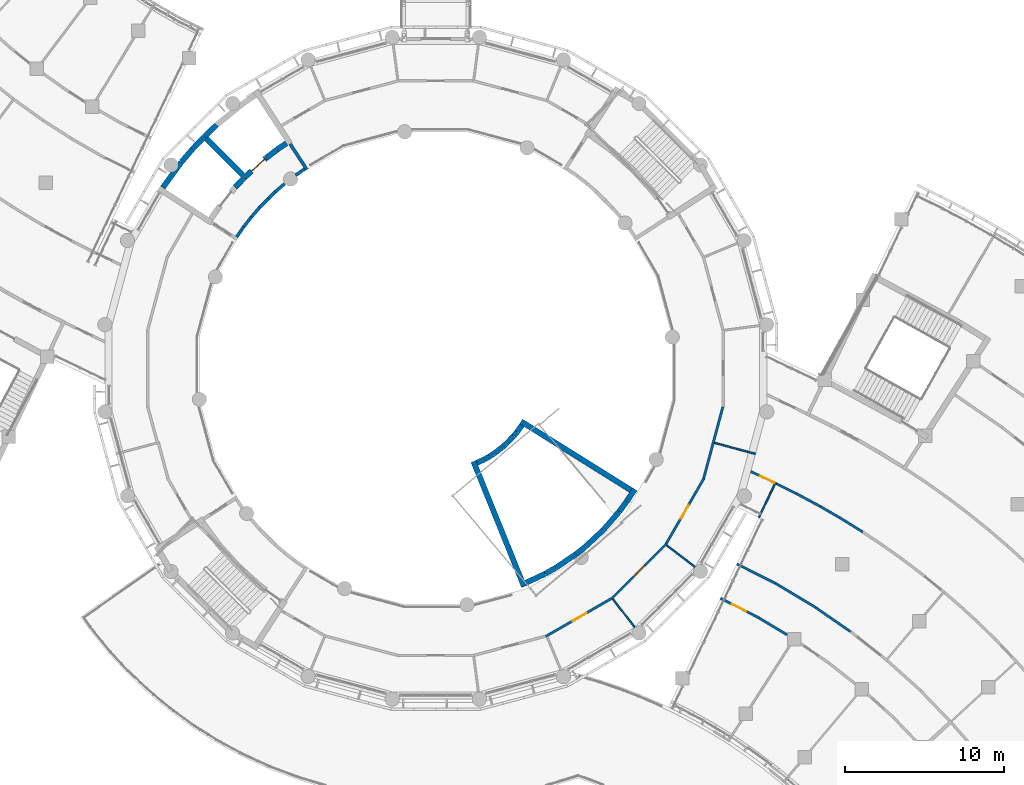
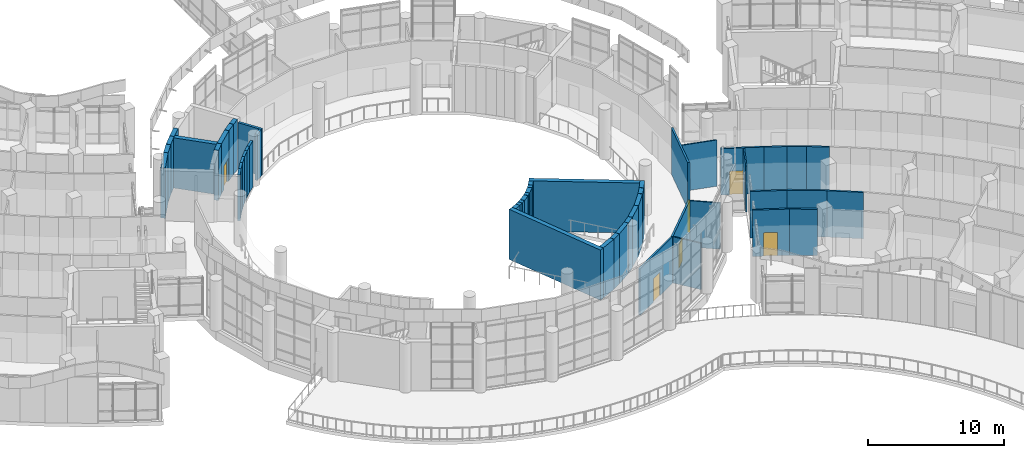
# One storey, part 63 of 136: 53 walls, 6 doors, 6 openings.
"""IFC4 building model written with IfcOpenShell, lengths in metres."""

from ifc_helpers import new_model, si_unit, direction, frame, frame_2d, origin, place, context, subcontext, project, spatial, rectangle, extrude, material, layer, layer_set, type_object, element, fill, save


model = new_model("IFC4")

# Units and contexts
model_context = context("Model", 3, precision=1e-05, world=origin(), true_north=direction((0.0, 1.0)))
body_context = subcontext(model_context, "Body", "Model", "MODEL_VIEW")
ifc_project = project(units=[si_unit("LENGTHUNIT", "METRE"), si_unit("AREAUNIT", "SQUARE_METRE"), si_unit("VOLUMEUNIT", "CUBIC_METRE"), si_unit("PLANEANGLEUNIT", "RADIAN"), si_unit("MASSUNIT", "GRAM", prefix="KILO")], contexts=[model_context])

# Site, building, storey
site_placement = place(None, origin())
site = spatial("IfcSite", under=ifc_project, at=site_placement, CompositionType="ELEMENT")
building_placement = place(site_placement, origin())
building = spatial("IfcBuilding", under=site, at=building_placement, Name="Bougainvillea Quay General Hospital", CompositionType="ELEMENT")
storey_placement = place(building_placement, frame((0.0, 0.0, 5.39990234375)))
storey = spatial("IfcBuildingStorey", under=building, at=storey_placement, Name="L01", CompositionType="ELEMENT", Elevation=5.39990234375)

# Walls
ifc_material_1 = material(Name="Gypsum board partition on steel studs", Category="steel")
ifc_layer_1 = layer(ifc_material_1, 0.10009765625)
ifc_layer_set_1 = layer_set([ifc_layer_1], Name="Gypsum board partition on steel studs")
wall_type_1 = type_object("IfcWallType", Name="Partition 100 Gypsum board partition EI 30", PredefinedType="PARTITIONING", material=ifc_layer_set_1)
for number, where, z_axis, x_axis, name in (
    (1, (123.72607421875, 62.85400390625, 0.0), (0.0, 0.0, 1.0), (0.793303213768, -0.608826749598, 0.0), "Partition 100 mm EI 30"),
    (2, (120.345947265625, 59.473876953125, 0.0), (0.0, 0.0, 1.0), (0.608947804402, -0.793210294635, 0.0), "Partition 100 mm EI 30"),
):
    element("IfcWall", number, at=place(storey_placement, frame(where, z_axis=z_axis, x_axis=x_axis)), inside=storey, type_object=wall_type_1, Name=name, PredefinedType="PARTITIONING", context=body_context, shape_type="SweptSolid", body=[
        extrude(rectangle(XDim=2.2431640625, YDim=0.10009765625, at=frame_2d((1.12158203125, 0.0))), origin(), (0.0, 0.0, 1.0), 4.150146484375),
    ])
wall_1_placement = place(storey_placement, frame((126.728515625, 69.303466796875, 0.0), z_axis=(0.0, 0.0, 1.0), x_axis=(0.965864022407, -0.259049590273, 0.0)))
element("IfcWall", 3, at=wall_1_placement, inside=storey, type_object=wall_type_1, Name="Partition 100 mm EI 30", PredefinedType="PARTITIONING", context=body_context, shape_type="SweptSolid", body=[
    extrude(rectangle(XDim=2.6728515625, YDim=0.10009765625, at=frame_2d((1.33642578125, 0.0))), origin(), (0.0, 0.0, 1.0), 4.150146484375),
])
wall_2_placement = place(storey_placement, frame((129.52001953125, 64.60205078125, 0.0), z_axis=(0.0, 0.0, 1.0), x_axis=(0.430496224864, 0.902592377753, 0.0)))
element("IfcWall", 4, at=wall_2_placement, inside=storey, type_object=wall_type_1, Name="Partition 100 mm EI 30", PredefinedType="PARTITIONING", context=body_context, shape_type="SweptSolid", body=[
    extrude(rectangle(XDim=2.323974609375, YDim=0.10009765625, at=frame_2d((1.162109375, 0.0))), origin(), (0.0, 0.0, 1.0), 4.150146484375),
])

# Wall, opening, door
ifc_material_2 = material(Name="Gypsum board partition on steel studs, insulated", Category="steel")
ifc_layer_2 = layer(ifc_material_2, 0.14990234375)
ifc_layer_set_2 = layer_set([ifc_layer_2], Name="Gypsum board partition on steel studs, insulated")
wall_type_2 = type_object("IfcWallType", Name="Partition 150 Gypsum board partition EI 30", PredefinedType="PARTITIONING", material=ifc_layer_set_2)
wall_3_placement = place(storey_placement, frame((120.242919921875, 59.486083984375, 0.0), z_axis=(0.0, 0.0, 1.0), x_axis=(0.707131648229, 0.70708191327, 0.0)))
wall_3 = element("IfcWall", 5, at=wall_3_placement, inside=storey, type_object=wall_type_2, Name="Partition 150 mm EI 30", PredefinedType="PARTITIONING", context=body_context, shape_type="SweptSolid", body=[
    extrude(rectangle(XDim=4.908935546875, YDim=0.14990234375, at=frame_2d((2.45458984375, 0.0))), origin(), (0.0, 0.0, 1.0), 4.150146484375),
])
opening_1_placement = place(wall_3_placement, frame((1.954345703125, 0.0, 0.0)))
opening_1 = element("IfcOpeningElement", 6, at=opening_1_placement, cuts=wall_3, Name="Opening L01.291", PredefinedType="OPENING", context=body_context, shape_type="SweptSolid", body=[
    extrude(rectangle(XDim=1.0, YDim=2.10009765625, at=frame_2d((0.5, 1.050048828125))), frame((0.0, 0.0849609375, 0.0), z_axis=(0.0, -1.0, 0.0), x_axis=(1.0, 0.0, 0.0)), (0.0, 0.0, 1.0), 0.169921875),
])
ifc_material_3 = material(Name="Solid-core timber door leaf in steel frame", Category="steel")
door_type_1 = type_object("IfcDoorType", Name="Single leaf door 1000x2100 FD30S", OperationType="NOTDEFINED", PredefinedType="DOOR", material=ifc_material_3)
door_1_placement = place(opening_1_placement, frame((1.0, 0.0, 0.0), z_axis=(0.0, 0.0, 1.0), x_axis=(-1.0, 0.0, 0.0)))
door_1 = element("IfcDoor", 7, at=door_1_placement, inside=storey, type_object=door_type_1, Name="DT15 L01.291", OperationType="SINGLE_SWING_LEFT", OverallHeight=2.10009765625, OverallWidth=1.0, PredefinedType="DOOR", context=body_context, shape_type="SweptSolid", body=[
    extrude(rectangle(XDim=1.0, YDim=2.10009765625, at=frame_2d((0.5, 1.050048828125))), frame((0.0, 0.02490234375, 0.0), z_axis=(0.0, -1.0, 0.0), x_axis=(1.0, 0.0, 0.0)), (0.0, 0.0, 1.0), 0.050048828125),
])
fill(opening_1, door_1)

wall_4_placement = place(storey_placement, frame((116.110107421875, 57.12255859375, 0.0), z_axis=(0.0, 0.0, 1.0), x_axis=(0.866054481515, 0.499949632511, 0.0)))
wall_4 = element("IfcWall", 8, at=wall_4_placement, inside=storey, type_object=wall_type_2, Name="Partition 150 mm EI 30", PredefinedType="PARTITIONING", context=body_context, shape_type="SweptSolid", body=[
    extrude(rectangle(XDim=4.775390625, YDim=0.14990234375, at=frame_2d((2.3876953125, 0.0))), origin(), (0.0, 0.0, 1.0), 4.150146484375),
])
opening_2_placement = place(wall_4_placement, frame((1.9541015625, 0.0, 0.0)))
opening_2 = element("IfcOpeningElement", 9, at=opening_2_placement, cuts=wall_4, Name="Opening L01.290", PredefinedType="OPENING", context=body_context, shape_type="SweptSolid", body=[
    extrude(rectangle(XDim=1.0, YDim=2.10009765625, at=frame_2d((0.5, 1.050048828125))), frame((0.0, 0.0849609375, 0.0), z_axis=(0.0, -1.0, 0.0), x_axis=(1.0, 0.0, 0.0)), (0.0, 0.0, 1.0), 0.169921875),
])
door_2_placement = place(opening_2_placement, frame((1.0, 0.0, 0.0), z_axis=(0.0, 0.0, 1.0), x_axis=(-1.0, 0.0, 0.0)))
door_2 = element("IfcDoor", 10, at=door_2_placement, inside=storey, type_object=door_type_1, Name="DT15 L01.290", OperationType="SINGLE_SWING_LEFT", OverallHeight=2.10009765625, OverallWidth=1.0, PredefinedType="DOOR", context=body_context, shape_type="SweptSolid", body=[
    extrude(rectangle(XDim=1.0, YDim=2.10009765625, at=frame_2d((0.5, 1.050048828125))), frame((0.0, 0.02490234375, 0.0), z_axis=(0.0, -1.0, 0.0), x_axis=(1.0, 0.0, 0.0)), (0.0, 0.0, 1.0), 0.050048828125),
])
fill(opening_2, door_2)

wall_5_placement = place(storey_placement, frame((123.68994140625, 62.9541015625, 0.0), z_axis=(0.0, 0.0, 1.0), x_axis=(0.499927497117, 0.866067259297, 0.0)))
wall_5 = element("IfcWall", 11, at=wall_5_placement, inside=storey, type_object=wall_type_2, Name="Partition 150 mm EI 30", PredefinedType="PARTITIONING", context=body_context, shape_type="SweptSolid", body=[
    extrude(rectangle(XDim=4.775634765625, YDim=0.14990234375, at=frame_2d((2.3876953125, 0.0))), origin(), (0.0, 0.0, 1.0), 4.150146484375),
])
opening_3_placement = place(wall_5_placement, frame((1.8212890625, 0.0, 0.0)))
opening_3 = element("IfcOpeningElement", 12, at=opening_3_placement, cuts=wall_5, Name="Opening L01.292", PredefinedType="OPENING", context=body_context, shape_type="SweptSolid", body=[
    extrude(rectangle(XDim=1.0, YDim=2.10009765625, at=frame_2d((0.5, 1.050048828125))), frame((0.0, 0.0849609375, 0.0), z_axis=(0.0, -1.0, 0.0), x_axis=(1.0, 0.0, 0.0)), (0.0, 0.0, 1.0), 0.169921875),
])
door_3_placement = place(opening_3_placement, frame((1.0, 0.0, 0.0), z_axis=(0.0, 0.0, 1.0), x_axis=(-1.0, 0.0, 0.0)))
door_3 = element("IfcDoor", 13, at=door_3_placement, inside=storey, type_object=door_type_1, Name="DT15 L01.292", OperationType="SINGLE_SWING_RIGHT", OverallHeight=2.10009765625, OverallWidth=1.0, PredefinedType="DOOR", context=body_context, shape_type="SweptSolid", body=[
    extrude(rectangle(XDim=1.0, YDim=2.10009765625, at=frame_2d((0.5, 1.050048828125))), frame((0.0, 0.02490234375, 0.0), z_axis=(0.0, -1.0, 0.0), x_axis=(1.0, 0.0, 0.0)), (0.0, 0.0, 1.0), 0.050048828125),
])
fill(opening_3, door_3)

# Walls
wall_6_placement = place(storey_placement, frame((126.054931640625, 67.0810546875, 0.0), z_axis=(0.0, 0.0, 1.0), x_axis=(0.259011275585, 0.965874297784, 0.0)))
element("IfcWall", 14, at=wall_6_placement, inside=storey, type_object=wall_type_2, Name="Partition 150 mm EI 30", PredefinedType="PARTITIONING", context=body_context, shape_type="SweptSolid", body=[
    extrude(rectangle(XDim=4.641357421875, YDim=0.14990234375, at=frame_2d((2.32080078125, 0.0))), origin(), (0.0, 0.0, 1.0), 4.150146484375),
])
wall_7_placement = place(storey_placement, frame((130.57177734375, 60.463623046875, 0.0), z_axis=(0.0, 0.0, 1.0), x_axis=(0.857369075188, -0.514702116676, 0.0)))
element("IfcWall", 15, at=wall_7_placement, inside=storey, type_object=wall_type_2, Name="Partition 150 mm EI 30", PredefinedType="PARTITIONING", context=body_context, shape_type="SweptSolid", body=[
    extrude(rectangle(XDim=2.95751953125, YDim=0.14990234375, at=frame_2d((1.478759765625, 0.0))), origin(), (0.0, 0.0, 1.0), 4.150146484375),
])
wall_8_placement = place(storey_placement, frame((133.100830078125, 58.93994140625, 0.0), z_axis=(0.0, 0.0, 1.0), x_axis=(0.822620530797, -0.568590768754, 0.0)))
element("IfcWall", 16, at=wall_8_placement, inside=storey, type_object=wall_type_2, Name="Partition 150 mm EI 30", PredefinedType="PARTITIONING", context=body_context, shape_type="SweptSolid", body=[
    extrude(rectangle(XDim=2.666015625, YDim=0.14990234375, at=frame_2d((1.3330078125, 0.0))), origin(), (0.0, 0.0, 1.0), 4.150146484375),
])
wall_9_placement = place(storey_placement, frame((128.132080078125, 61.69189453125, 0.0), z_axis=(0.0, 0.0, 1.0), x_axis=(0.892275475515, -0.45149139061, 0.0)))
element("IfcWall", 17, at=wall_9_placement, inside=storey, type_object=wall_type_2, Name="Partition 150 mm EI 30", PredefinedType="PARTITIONING", context=body_context, shape_type="SweptSolid", body=[
    extrude(rectangle(XDim=2.736083984375, YDim=0.14990234375, at=frame_2d((1.3681640625, 0.0))), origin(), (0.0, 0.0, 1.0), 4.150146484375),
])

# Wall, opening, door
wall_10_placement = place(storey_placement, frame((127.09912109375, 59.527099609375, 0.0), z_axis=(0.0, 0.0, 1.0), x_axis=(0.892287657908, -0.451467313928, 0.0)))
wall_10 = element("IfcWall", 18, at=wall_10_placement, inside=storey, type_object=wall_type_2, Name="Partition 150 mm EI 30", PredefinedType="PARTITIONING", context=body_context, shape_type="SweptSolid", body=[
    extrude(rectangle(XDim=2.728759765625, YDim=0.14990234375, at=frame_2d((1.3642578125, 0.0))), origin(), (0.0, 0.0, 1.0), 4.150146484375),
])
opening_4_placement = place(wall_10_placement, frame((0.826904296875, 0.0, 0.0)))
opening_4 = element("IfcOpeningElement", 19, at=opening_4_placement, cuts=wall_10, Name="Opening L01.275", PredefinedType="OPENING", context=body_context, shape_type="SweptSolid", body=[
    extrude(rectangle(XDim=1.0, YDim=2.10009765625, at=frame_2d((0.5, 1.050048828125))), frame((0.0, 0.0849609375, 0.0), z_axis=(0.0, -1.0, 0.0), x_axis=(1.0, 0.0, 0.0)), (0.0, 0.0, 1.0), 0.169921875),
])
door_4_placement = place(opening_4_placement, frame((1.0, 0.0, 0.0), z_axis=(0.0, 0.0, 1.0), x_axis=(-1.0, 0.0, 0.0)))
door_4 = element("IfcDoor", 20, at=door_4_placement, inside=storey, type_object=door_type_1, Name="DT15 L01.275", OperationType="SINGLE_SWING_RIGHT", OverallHeight=2.10009765625, OverallWidth=1.0, PredefinedType="DOOR", context=body_context, shape_type="SweptSolid", body=[
    extrude(rectangle(XDim=1.0, YDim=2.10009765625, at=frame_2d((0.5, 1.050048828125))), frame((0.0, 0.02490234375, 0.0), z_axis=(0.0, -1.0, 0.0), x_axis=(1.0, 0.0, 0.0)), (0.0, 0.0, 1.0), 0.050048828125),
])
fill(opening_4, door_4)

# Wall
wall_11_placement = place(storey_placement, frame((129.52685546875, 58.29296875, 0.0), z_axis=(0.0, 0.0, 1.0), x_axis=(0.8573370195, -0.514755509922, 0.0)))
element("IfcWall", 21, at=wall_11_placement, inside=storey, type_object=wall_type_2, Name="Partition 150 mm EI 30", PredefinedType="PARTITIONING", context=body_context, shape_type="SweptSolid", body=[
    extrude(rectangle(XDim=2.072998046875, YDim=0.14990234375, at=frame_2d((1.03662109375, 0.0))), origin(), (0.0, 0.0, 1.0), 4.150146484375),
])

# Wall, opening, door
wall_12_placement = place(storey_placement, frame((129.012939453125, 67.5029296875, 0.0), z_axis=(0.0, 0.0, 1.0), x_axis=(0.902472562088, -0.430747344365, 0.0)))
wall_12 = element("IfcWall", 22, at=wall_12_placement, inside=storey, type_object=wall_type_2, Name="Partition 150 mm EI 30", PredefinedType="PARTITIONING", context=body_context, shape_type="SweptSolid", body=[
    extrude(rectangle(XDim=1.781494140625, YDim=0.14990234375, at=frame_2d((0.890625, 0.0))), origin(), (0.0, 0.0, 1.0), 4.150146484375),
])
opening_5_placement = place(wall_12_placement, frame((0.6533203125, 0.0, 0.0)))
opening_5 = element("IfcOpeningElement", 23, at=opening_5_placement, cuts=wall_12, Name="Opening L01.284", PredefinedType="OPENING", context=body_context, shape_type="SweptSolid", body=[
    extrude(rectangle(XDim=1.0, YDim=2.10009765625, at=frame_2d((0.5, 1.050048828125))), frame((0.0, 0.0849609375, 0.0), z_axis=(0.0, -1.0, 0.0), x_axis=(1.0, 0.0, 0.0)), (0.0, 0.0, 1.0), 0.169921875),
])
door_5_placement = place(opening_5_placement, frame((1.0, 0.0, 0.0), z_axis=(0.0, 0.0, 1.0), x_axis=(-1.0, 0.0, 0.0)))
door_5 = element("IfcDoor", 24, at=door_5_placement, inside=storey, type_object=door_type_1, Name="DT15 L01.284", OperationType="SINGLE_SWING_LEFT", OverallHeight=2.10009765625, OverallWidth=1.0, PredefinedType="DOOR", context=body_context, shape_type="SweptSolid", body=[
    extrude(rectangle(XDim=1.0, YDim=2.10009765625, at=frame_2d((0.5, 1.050048828125))), frame((0.0, 0.02490234375, 0.0), z_axis=(0.0, -1.0, 0.0), x_axis=(1.0, 0.0, 0.0)), (0.0, 0.0, 1.0), 0.050048828125),
])
fill(opening_5, door_5)

# Walls
wall_13_placement = place(storey_placement, frame((134.609375, 64.597412109375, 0.0), z_axis=(0.0, 0.0, 1.0), x_axis=(0.849799037667, -0.527106816102, 0.0)))
element("IfcWall", 25, at=wall_13_placement, inside=storey, type_object=wall_type_2, Name="Partition 150 mm EI 30", PredefinedType="PARTITIONING", context=body_context, shape_type="SweptSolid", body=[
    extrude(rectangle(XDim=1.708984375, YDim=0.14990234375, at=frame_2d((0.8544921875, 0.0))), origin(), (0.0, 0.0, 1.0), 4.150146484375),
])
wall_14_placement = place(storey_placement, frame((131.8828125, 66.110595703125, 0.0), z_axis=(0.0, 0.0, 1.0), x_axis=(0.881203803206, -0.472736562174, 0.0)))
element("IfcWall", 26, at=wall_14_placement, inside=storey, type_object=wall_type_2, Name="Partition 150 mm EI 30", PredefinedType="PARTITIONING", context=body_context, shape_type="SweptSolid", body=[
    extrude(rectangle(XDim=1.70947265625, YDim=0.14990234375, at=frame_2d((0.854736328125, 0.0))), origin(), (0.0, 0.0, 1.0), 4.150146484375),
])
wall_15_placement = place(storey_placement, frame((133.385986328125, 65.301513671875, 0.0), z_axis=(0.0, 0.0, 1.0), x_axis=(0.865938212252, -0.500150989765, 0.0)))
element("IfcWall", 27, at=wall_15_placement, inside=storey, type_object=wall_type_2, Name="Partition 150 mm EI 30", PredefinedType="PARTITIONING", context=body_context, shape_type="SweptSolid", body=[
    extrude(rectangle(XDim=1.41357421875, YDim=0.14990234375, at=frame_2d((0.706787109375, 0.0))), origin(), (0.0, 0.0, 1.0), 4.150146484375),
])
wall_16_placement = place(storey_placement, frame((130.62109375, 66.734130859375, 0.0), z_axis=(0.0, 0.0, 1.0), x_axis=(0.895739562296, -0.444579167907, 0.0)))
element("IfcWall", 28, at=wall_16_placement, inside=storey, type_object=wall_type_2, Name="Partition 150 mm EI 30", PredefinedType="PARTITIONING", context=body_context, shape_type="SweptSolid", body=[
    extrude(rectangle(XDim=1.40966796875, YDim=0.14990234375, at=frame_2d((0.704833984375, 0.0))), origin(), (0.0, 0.0, 1.0), 4.150146484375),
])
ifc_material_4 = material(Name="Fire-rated autoclaved aerated block wall, plastered")
ifc_layer_3 = layer(ifc_material_4, 0.199951171875)
ifc_layer_set_3 = layer_set([ifc_layer_3], Name="Fire-rated autoclaved aerated block wall, plastered")
wall_type_3 = type_object("IfcWallType", Name="Partition 200 Fire-rated autoclaved aerated block wall EI 120", PredefinedType="SOLIDWALL", material=ifc_layer_set_3)
wall_17_placement = place(storey_placement, frame((100.036376953125, 88.110107421875, 0.0), z_axis=(0.0, 0.0, 1.0), x_axis=(0.544618190689, -0.838684104041, 0.0)))
element("IfcWall", 29, at=wall_17_placement, inside=storey, type_object=wall_type_3, Name="Partition 200 mm EI 120", PredefinedType="SOLIDWALL", context=body_context, shape_type="SweptSolid", body=[
    extrude(rectangle(XDim=1.924560546875, YDim=0.199951171875, at=frame_2d((0.96240234375, 0.0))), origin(), (0.0, 0.0, 1.0), 4.150146484375),
])
wall_18_placement = place(storey_placement, frame((100.382568359375, 86.134765625, 0.0), z_axis=(0.0, 0.0, 1.0), x_axis=(0.823886668557, 0.56675458302, 0.0)))
element("IfcWall", 30, at=wall_18_placement, inside=storey, type_object=wall_type_3, Name="Partition 200 mm EI 120", PredefinedType="SOLIDWALL", context=body_context, shape_type="SweptSolid", body=[
    extrude(rectangle(XDim=0.6884765625, YDim=0.199951171875, at=frame_2d((0.34423828125, 0.0))), origin(), (0.0, 0.0, 1.0), 4.150146484375),
])
wall_19_placement = place(storey_placement, frame((96.67529296875, 82.250244140625, 0.0), z_axis=(0.0, 0.0, 1.0), x_axis=(0.566515670131, 0.824050966564, 0.0)))
element("IfcWall", 31, at=wall_19_placement, inside=storey, type_object=wall_type_3, Name="Partition 200 mm EI 120", PredefinedType="SOLIDWALL", context=body_context, shape_type="SweptSolid", body=[
    extrude(rectangle(XDim=0.787841796875, YDim=0.199951171875, at=frame_2d((0.39404296875, 0.0))), origin(), (0.0, 0.0, 1.0), 4.150146484375),
])
wall_20_placement = place(storey_placement, frame((97.122802734375, 82.892333984375, 0.0), z_axis=(0.0, 0.0, 1.0), x_axis=(0.608859474519, 0.793278097699, 0.0)))
element("IfcWall", 32, at=wall_20_placement, inside=storey, type_object=wall_type_3, Name="Partition 200 mm EI 120", PredefinedType="SOLIDWALL", context=body_context, shape_type="SweptSolid", body=[
    extrude(rectangle(XDim=0.790283203125, YDim=0.199951171875, at=frame_2d((0.39501953125, 0.0))), origin(), (0.0, 0.0, 1.0), 4.150146484375),
])
for number, where, z_axis, x_axis, name in (
    (33, (97.604736328125, 83.51220703125, 0.0), (0.0, 0.0, 1.0), (0.649467241597, 0.760389572583, 0.0), "Partition 200 mm EI 120"),
    (34, (99.0869140625, 85.08203125, 0.0), (0.0, 0.0, 1.0), (0.760389572583, 0.649467241597, 0.0), "Partition 200 mm EI 120"),
):
    element("IfcWall", number, at=place(storey_placement, frame(where, z_axis=z_axis, x_axis=x_axis)), inside=storey, type_object=wall_type_3, Name=name, PredefinedType="SOLIDWALL", context=body_context, shape_type="SweptSolid", body=[
        extrude(rectangle(XDim=0.7900390625, YDim=0.199951171875, at=frame_2d((0.39501953125, 0.0))), origin(), (0.0, 0.0, 1.0), 4.150146484375),
    ])
wall_21_placement = place(storey_placement, frame((98.118408203125, 84.10595703125, 0.0), z_axis=(0.0, 0.0, 1.0), x_axis=(0.687693231893, 0.726001390363, 0.0)))
element("IfcWall", 35, at=wall_21_placement, inside=storey, type_object=wall_type_3, Name="Partition 200 mm EI 120", PredefinedType="SOLIDWALL", context=body_context, shape_type="SweptSolid", body=[
    extrude(rectangle(XDim=0.790283203125, YDim=0.199951171875, at=frame_2d((0.39501953125, 0.0))), origin(), (0.0, 0.0, 1.0), 4.150146484375),
])
wall_22_placement = place(storey_placement, frame((98.661865234375, 84.672119140625, 0.0), z_axis=(0.0, 0.0, 1.0), x_axis=(0.725920352122, 0.687778774298, 0.0)))
element("IfcWall", 36, at=wall_22_placement, inside=storey, type_object=wall_type_3, Name="Partition 200 mm EI 120", PredefinedType="SOLIDWALL", context=body_context, shape_type="SweptSolid", body=[
    extrude(rectangle(XDim=0.59521484375, YDim=0.199951171875, at=frame_2d((0.297607421875, 0.0))), origin(), (0.0, 0.0, 1.0), 4.150146484375),
])
ifc_material_5 = material(Name="Concrete C40", Category="concrete")
ifc_layer_4 = layer(ifc_material_5, 0.35009765625)
ifc_layer_set_4 = layer_set([ifc_layer_4], Name="Concrete C40")
wall_type_4 = type_object("IfcWallType", Name="RC SHEAR WALL 350 C40", PredefinedType="SHEAR", material=ifc_layer_set_4)
wall_23_placement = place(storey_placement, frame((93.18701171875, 86.95849609375, 0.0), z_axis=(0.0, 0.0, 1.0), x_axis=(-0.588083467619, -0.808800244259, 0.0)))
element("IfcWall", 37, at=wall_23_placement, inside=storey, type_object=wall_type_4, Name="Shear wall L01", PredefinedType="SHEAR", context=body_context, shape_type="SweptSolid", body=[
    extrude(rectangle(XDim=1.974365234375, YDim=0.35009765625, at=frame_2d((0.9873046875, 0.0))), origin(), (0.0, 0.0, 1.0), 4.5),
])
wall_24_placement = place(storey_placement, frame((93.1953125, 86.96923828125, 0.0), z_axis=(0.0, 0.0, 1.0), x_axis=(0.649301127712, 0.760531423119, 0.0)))
element("IfcWall", 38, at=wall_24_placement, inside=storey, type_object=wall_type_4, Name="Shear wall L01", PredefinedType="SHEAR", context=body_context, shape_type="SweptSolid", body=[
    extrude(rectangle(XDim=1.066650390625, YDim=0.35009765625, at=frame_2d((0.533203125, 0.0))), origin(), (0.0, 0.0, 1.0), 4.5),
])
wall_25_placement = place(storey_placement, frame((93.894287109375, 87.787353515625, 0.0), z_axis=(0.0, 0.0, 1.0), x_axis=(0.688725463476, 0.725022231356, 0.0)))
element("IfcWall", 39, at=wall_25_placement, inside=storey, type_object=wall_type_4, Name="Shear wall L01", PredefinedType="SHEAR", context=body_context, shape_type="SweptSolid", body=[
    extrude(rectangle(XDim=1.069580078125, YDim=0.35009765625, at=frame_2d((0.53466796875, 0.0))), origin(), (0.0, 0.0, 1.0), 4.5),
])
wall_26_placement = place(storey_placement, frame((94.63720703125, 88.569091796875, 0.0), z_axis=(0.0, 0.0, 1.0), x_axis=(0.724948027673, 0.688803569367, 0.0)))
element("IfcWall", 40, at=wall_26_placement, inside=storey, type_object=wall_type_4, Name="Shear wall L01", PredefinedType="SHEAR", context=body_context, shape_type="SweptSolid", body=[
    extrude(rectangle(XDim=1.067138671875, YDim=0.35009765625, at=frame_2d((0.53369140625, 0.0))), origin(), (0.0, 0.0, 1.0), 4.5),
])
wall_27_placement = place(storey_placement, frame((94.7578125, 88.442138671875, 0.0), z_axis=(0.0, 0.0, 1.0), x_axis=(0.707106781187, -0.707106781187, 0.0)))
element("IfcWall", 41, at=wall_27_placement, inside=storey, type_object=wall_type_4, Name="Shear wall L01", PredefinedType="SHEAR", context=body_context, shape_type="SweptSolid", body=[
    extrude(rectangle(XDim=3.2490234375, YDim=0.35009765625, at=frame_2d((1.62451171875, 0.0))), origin(), (0.0, 0.0, 1.0), 4.5),
])
wall_28_placement = place(storey_placement, frame((96.57177734375, 85.3798828125, 0.0), z_axis=(0.0, 0.0, 1.0), x_axis=(0.687613208908, 0.726077182491, 0.0)))
element("IfcWall", 42, at=wall_28_placement, inside=storey, type_object=wall_type_4, Name="Shear wall L01", PredefinedType="SHEAR", context=body_context, shape_type="SweptSolid", body=[
    extrude(rectangle(XDim=0.8759765625, YDim=0.35009765625, at=frame_2d((0.43798828125, 0.0))), origin(), (0.0, 0.0, 1.0), 4.5),
])

# Wall, opening, door
wall_29_placement = place(storey_placement, frame((97.18408203125, 86.025634765625, 0.0), z_axis=(0.0, 0.0, 1.0), x_axis=(0.743452252039, 0.668789016759, 0.0)))
wall_29 = element("IfcWall", 43, at=wall_29_placement, inside=storey, type_object=wall_type_4, Name="Shear wall L01", PredefinedType="SHEAR", context=body_context, shape_type="SweptSolid", body=[
    extrude(rectangle(XDim=1.765625, YDim=0.35009765625, at=frame_2d((0.8828125, 0.0))), origin(), (0.0, 0.0, 1.0), 4.5),
])
opening_6_placement = place(wall_29_placement, frame((0.565673828125, 0.0, 0.0)))
opening_6 = element("IfcOpeningElement", 44, at=opening_6_placement, cuts=wall_29, Name="Opening LD-H1.1-L01", PredefinedType="OPENING", context=body_context, shape_type="SweptSolid", body=[
    extrude(rectangle(XDim=1.10009765625, YDim=2.10009765625, at=frame_2d((0.550048828125, 1.050048828125))), frame((0.0, 0.18505859375, 0.0), z_axis=(0.0, -1.0, 0.0), x_axis=(1.0, 0.0, 0.0)), (0.0, 0.0, 1.0), 0.3701171875),
])
ifc_material_6 = material(Name="Stainless steel centre-opening landing door", Category="steel")
door_type_2 = type_object("IfcDoorType", Name="Lift landing door 1100x2100 E 120", OperationType="DOUBLE_DOOR_SLIDING", PredefinedType="DOOR", material=ifc_material_6)
door_6_placement = place(opening_6_placement, origin())
door_6 = element("IfcDoor", 45, at=door_6_placement, inside=storey, type_object=door_type_2, Name="Lift landing door LB-H1-1 L01", OperationType="DOUBLE_DOOR_SLIDING", OverallHeight=2.10009765625, OverallWidth=1.10009765625, PredefinedType="DOOR", context=body_context, shape_type="SweptSolid", body=[
    extrude(rectangle(XDim=1.10009765625, YDim=2.10009765625, at=frame_2d((0.550048828125, 1.050048828125))), frame((0.0, 0.02490234375, 0.0), z_axis=(0.0, -1.0, 0.0), x_axis=(1.0, 0.0, 0.0)), (0.0, 0.0, 1.0), 0.050048828125),
])
fill(opening_6, door_6)

# Walls
wall_30_placement = place(storey_placement, frame((98.50732421875, 87.215087890625, 0.0), z_axis=(0.0, 0.0, 1.0), x_axis=(0.793181366791, 0.608985483715, 0.0)))
element("IfcWall", 46, at=wall_30_placement, inside=storey, type_object=wall_type_4, Name="Shear wall L01", PredefinedType="SHEAR", context=body_context, shape_type="SweptSolid", body=[
    extrude(rectangle(XDim=0.878662109375, YDim=0.35009765625, at=frame_2d((0.439453125, 0.0))), origin(), (0.0, 0.0, 1.0), 4.5),
])
wall_31_placement = place(storey_placement, frame((99.211669921875, 87.755615234375, 0.0), z_axis=(0.0, 0.0, 1.0), x_axis=(0.824031893461, 0.566543412776, 0.0)))
element("IfcWall", 47, at=wall_31_placement, inside=storey, type_object=wall_type_4, Name="Shear wall L01", PredefinedType="SHEAR", context=body_context, shape_type="SweptSolid", body=[
    extrude(rectangle(XDim=0.710205078125, YDim=0.35009765625, at=frame_2d((0.35498046875, 0.0))), origin(), (0.0, 0.0, 1.0), 4.5),
])
wall_32_placement = place(storey_placement, frame((111.5693359375, 68.13525390625, 0.0), z_axis=(0.0, 0.0, 1.0), x_axis=(0.374642087999, -0.927169513034, 0.0)))
element("IfcWall", 48, at=wall_32_placement, inside=storey, type_object=wall_type_4, Name="Shear wall L01", PredefinedType="SHEAR", context=body_context, shape_type="SweptSolid", body=[
    extrude(rectangle(XDim=8.499755859375, YDim=0.35009765625, at=frame_2d((4.25, 0.0))), origin(), (0.0, 0.0, 1.0), 4.5),
])
wall_33_placement = place(storey_placement, frame((112.245849609375, 68.258056640625, 0.0), z_axis=(0.0, 0.0, 1.0), x_axis=(-0.906320542705, -0.422590906043, 0.0)))
element("IfcWall", 49, at=wall_33_placement, inside=storey, type_object=wall_type_4, Name="Shear wall L01", PredefinedType="SHEAR", context=body_context, shape_type="SweptSolid", body=[
    extrude(rectangle(XDim=0.499267578125, YDim=0.35009765625, at=frame_2d((0.24951171875, 0.0))), origin(), (0.0, 0.0, 1.0), 4.5),
])
for number, where, z_axis, x_axis, name in (
    (50, (112.2578125, 68.264404296875, 0.0), (0.0, 0.0, 1.0), (0.871019238286, 0.49124890487, 0.0), "Shear wall L01"),
    (51, (112.552001953125, 68.430419921875, 0.0), (0.0, 0.0, 1.0), (0.84307986044, 0.537788386748, 0.0), "Shear wall L01"),
):
    element("IfcWall", number, at=place(storey_placement, frame(where, z_axis=z_axis, x_axis=x_axis)), inside=storey, type_object=wall_type_4, Name=name, PredefinedType="SHEAR", context=body_context, shape_type="SweptSolid", body=[
        extrude(rectangle(XDim=0.32861328125, YDim=0.35009765625, at=frame_2d((0.164306640625, 0.0))), origin(), (0.0, 0.0, 1.0), 4.5),
    ])
wall_34_placement = place(storey_placement, frame((113.37255859375, 69.01708984375, 0.0), z_axis=(0.0, 0.0, 1.0), x_axis=(-0.7979299439, -0.602750200853, 0.0)))
element("IfcWall", 52, at=wall_34_placement, inside=storey, type_object=wall_type_4, Name="Shear wall L01", PredefinedType="SHEAR", context=body_context, shape_type="SweptSolid", body=[
    extrude(rectangle(XDim=0.666748046875, YDim=0.35009765625, at=frame_2d((0.33349609375, 0.0))), origin(), (0.0, 0.0, 1.0), 4.5),
])
wall_35_placement = place(storey_placement, frame((113.383056640625, 69.025390625, 0.0), z_axis=(0.0, 0.0, 1.0), x_axis=(0.749510325372, 0.661992652649, 0.0)))
element("IfcWall", 53, at=wall_35_placement, inside=storey, type_object=wall_type_4, Name="Shear wall L01", PredefinedType="SHEAR", context=body_context, shape_type="SweptSolid", body=[
    extrude(rectangle(XDim=0.326416015625, YDim=0.35009765625, at=frame_2d((0.1630859375, 0.0))), origin(), (0.0, 0.0, 1.0), 4.5),
])
wall_36_placement = place(storey_placement, frame((114.101318359375, 69.73095703125, 0.0), z_axis=(0.0, 0.0, 1.0), x_axis=(-0.694555328872, -0.719439292182, 0.0)))
element("IfcWall", 54, at=wall_36_placement, inside=storey, type_object=wall_type_4, Name="Shear wall L01", PredefinedType="SHEAR", context=body_context, shape_type="SweptSolid", body=[
    extrude(rectangle(XDim=0.667236328125, YDim=0.35009765625, at=frame_2d((0.33349609375, 0.0))), origin(), (0.0, 0.0, 1.0), 4.5),
])
wall_37_placement = place(storey_placement, frame((114.1103515625, 69.7412109375, 0.0), z_axis=(0.0, 0.0, 1.0), x_axis=(0.636048566806, 0.771649026867, 0.0)))
element("IfcWall", 55, at=wall_37_placement, inside=storey, type_object=wall_type_4, Name="Shear wall L01", PredefinedType="SHEAR", context=body_context, shape_type="SweptSolid", body=[
    extrude(rectangle(XDim=0.325927734375, YDim=0.35009765625, at=frame_2d((0.1630859375, 0.0))), origin(), (0.0, 0.0, 1.0), 4.5),
])
wall_38_placement = place(storey_placement, frame((114.5634765625, 70.648681640625, 0.0), z_axis=(0.0, 0.0, 1.0), x_axis=(0.848065610157, -0.529891234942, 0.0)))
element("IfcWall", 56, at=wall_38_placement, inside=storey, type_object=wall_type_4, Name="Shear wall L01", PredefinedType="SHEAR", context=body_context, shape_type="SweptSolid", body=[
    extrude(rectangle(XDim=8.150390625, YDim=0.35009765625, at=frame_2d((4.0751953125, 0.0))), origin(), (0.0, 0.0, 1.0), 4.5),
])
wall_39_placement = place(storey_placement, frame((114.61181640625, 70.41259765625, 0.0), z_axis=(0.0, 0.0, 1.0), x_axis=(-0.572969657361, -0.819576580768, 0.0)))
element("IfcWall", 57, at=wall_39_placement, inside=storey, type_object=wall_type_4, Name="Shear wall L01", PredefinedType="SHEAR", context=body_context, shape_type="SweptSolid", body=[
    extrude(rectangle(XDim=0.4990234375, YDim=0.35009765625, at=frame_2d((0.24951171875, 0.0))), origin(), (0.0, 0.0, 1.0), 4.5),
])
wall_40_placement = place(storey_placement, frame((114.8466796875, 60.490966796875, 0.0), z_axis=(0.0, 0.0, 1.0), x_axis=(0.906372243269, 0.422480007375, 0.0)))
element("IfcWall", 58, at=wall_40_placement, inside=storey, type_object=wall_type_4, Name="Shear wall L01", PredefinedType="SHEAR", context=body_context, shape_type="SweptSolid", body=[
    extrude(rectangle(XDim=1.3515625, YDim=0.35009765625, at=frame_2d((0.67578125, 0.0))), origin(), (0.0, 0.0, 1.0), 4.5),
])
wall_41_placement = place(storey_placement, frame((116.083984375, 61.068359375, 0.0), z_axis=(0.0, 0.0, 1.0), x_axis=(0.870629311114, 0.491939633115, 0.0)))
element("IfcWall", 59, at=wall_41_placement, inside=storey, type_object=wall_type_4, Name="Shear wall L01", PredefinedType="SHEAR", context=body_context, shape_type="SweptSolid", body=[
    extrude(rectangle(XDim=0.75244140625, YDim=0.35009765625, at=frame_2d((0.376220703125, 0.0))), origin(), (0.0, 0.0, 1.0), 4.5),
])
wall_42_placement = place(storey_placement, frame((116.750732421875, 61.44580078125, 0.0), z_axis=(0.0, 0.0, 1.0), x_axis=(0.828999419692, 0.559249463255, 0.0)))
element("IfcWall", 60, at=wall_42_placement, inside=storey, type_object=wall_type_4, Name="Shear wall L01", PredefinedType="SHEAR", context=body_context, shape_type="SweptSolid", body=[
    extrude(rectangle(XDim=1.5205078125, YDim=0.35009765625, at=frame_2d((0.76025390625, 0.0))), origin(), (0.0, 0.0, 1.0), 4.5),
])
wall_43_placement = place(storey_placement, frame((118.0224609375, 62.30419921875, 0.0), z_axis=(0.0, 0.0, 1.0), x_axis=(0.78266928619, 0.622437778781, 0.0)))
element("IfcWall", 61, at=wall_43_placement, inside=storey, type_object=wall_type_4, Name="Shear wall L01", PredefinedType="SHEAR", context=body_context, shape_type="SweptSolid", body=[
    extrude(rectangle(XDim=0.752685546875, YDim=0.35009765625, at=frame_2d((0.37646484375, 0.0))), origin(), (0.0, 0.0, 1.0), 4.5),
])
wall_44_placement = place(storey_placement, frame((118.6220703125, 62.78173828125, 0.0), z_axis=(0.0, 0.0, 1.0), x_axis=(0.731146243932, 0.682220763378, 0.0)))
element("IfcWall", 62, at=wall_44_placement, inside=storey, type_object=wall_type_4, Name="Shear wall L01", PredefinedType="SHEAR", context=body_context, shape_type="SweptSolid", body=[
    extrude(rectangle(XDim=1.51708984375, YDim=0.35009765625, at=frame_2d((0.758544921875, 0.0))), origin(), (0.0, 0.0, 1.0), 4.5),
])
wall_45_placement = place(storey_placement, frame((119.743896484375, 63.829833984375, 0.0), z_axis=(0.0, 0.0, 1.0), x_axis=(0.655836227658, 0.754903200742, 0.0)))
element("IfcWall", 63, at=wall_45_placement, inside=storey, type_object=wall_type_4, Name="Shear wall L01", PredefinedType="SHEAR", context=body_context, shape_type="SweptSolid", body=[
    extrude(rectangle(XDim=1.51806640625, YDim=0.35009765625, at=frame_2d((0.759033203125, 0.0))), origin(), (0.0, 0.0, 1.0), 4.5),
])
wall_46_placement = place(storey_placement, frame((120.748046875, 64.986328125, 0.0), z_axis=(0.0, 0.0, 1.0), x_axis=(0.595752815961, 0.803167841908, 0.0)))
element("IfcWall", 64, at=wall_46_placement, inside=storey, type_object=wall_type_4, Name="Shear wall L01", PredefinedType="SHEAR", context=body_context, shape_type="SweptSolid", body=[
    extrude(rectangle(XDim=0.755615234375, YDim=0.35009765625, at=frame_2d((0.3779296875, 0.0))), origin(), (0.0, 0.0, 1.0), 4.5),
])
wall_47_placement = place(storey_placement, frame((121.20361328125, 65.60107421875, 0.0), z_axis=(0.0, 0.0, 1.0), x_axis=(0.551390002526, 0.8342476042, 0.0)))
element("IfcWall", 65, at=wall_47_placement, inside=storey, type_object=wall_type_4, Name="Shear wall L01", PredefinedType="SHEAR", context=body_context, shape_type="SweptSolid", body=[
    extrude(rectangle(XDim=0.937255859375, YDim=0.35009765625, at=frame_2d((0.46875, 0.0))), origin(), (0.0, 0.0, 1.0), 4.5),
])

save(model, "model.ifc")
